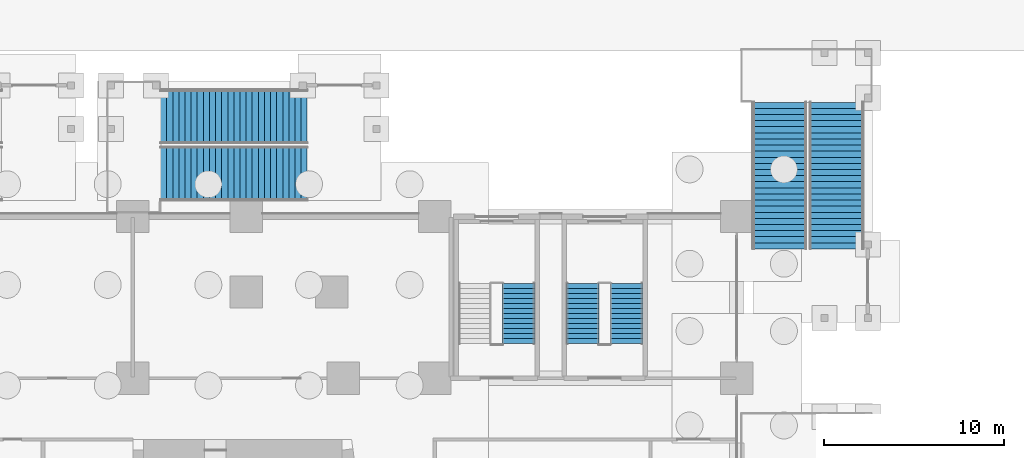
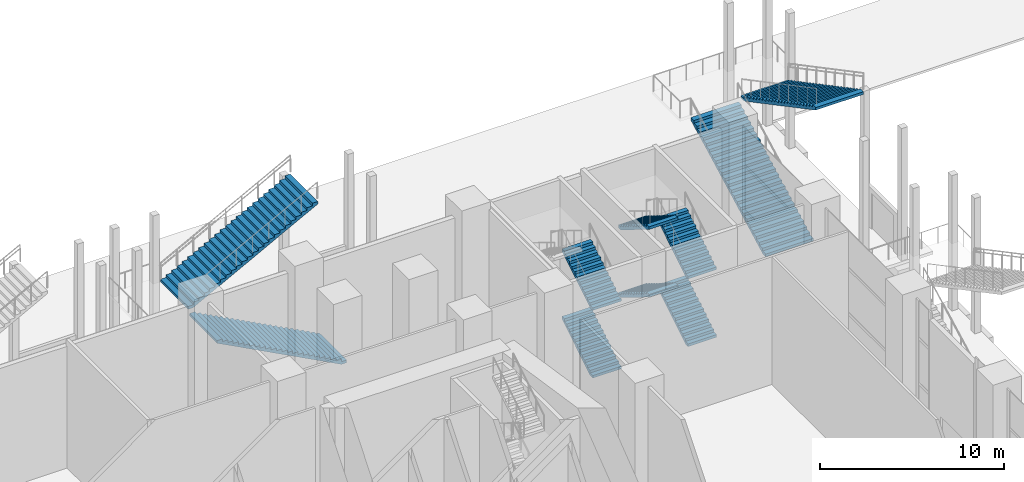
# One storey, part 55 of 72: 10 stair flights, 4 elements without a shape of their own.
"""IFC4 building model written with IfcOpenShell, lengths in metres."""

from ifc_helpers import new_model, si_unit, direction, frame, origin, place, context, subcontext, project, spatial, polyline, outline, extrude, material, type_object, element, aggregate, save


model = new_model("IFC4")

# Units and contexts
model_context = context("Model", 3, precision=1e-05, world=origin(), true_north=direction((0.0, 1.0)))
body_context = subcontext(model_context, "Body", "Model", "MODEL_VIEW")
ifc_project = project(units=[si_unit("LENGTHUNIT", "METRE"), si_unit("AREAUNIT", "SQUARE_METRE"), si_unit("VOLUMEUNIT", "CUBIC_METRE"), si_unit("PLANEANGLEUNIT", "RADIAN"), si_unit("MASSUNIT", "GRAM", prefix="KILO")], contexts=[model_context])

# Site, building, storey
site_placement = place(None, origin())
site = spatial("IfcSite", under=ifc_project, at=site_placement, CompositionType="ELEMENT")
building_placement = place(site_placement, origin())
building = spatial("IfcBuilding", under=site, at=building_placement, Name="Candeia Pilgrim Tower and Theatre", CompositionType="ELEMENT")
storey_placement = place(building_placement, origin())
storey = spatial("IfcBuildingStorey", under=building, at=storey_placement, Name="L00", CompositionType="ELEMENT", Elevation=0.0)

# Stair, stair flights
ifc_material = material(Name="Concrete C40/50", Category="concrete")
stair_type_1 = type_object("IfcStairType", Name="ST-EXT external escape stair", PredefinedType="HALF_TURN_STAIR", material=ifc_material)
stair_1_placement = place(storey_placement, origin())
stair_1 = element("IfcStair", 1, at=stair_1_placement, inside=storey, type_object=stair_type_1, Name="L00 External escape stair ES2", PredefinedType="HALF_TURN_STAIR")
stair_flight_type_1 = type_object("IfcStairFlightType", Name="SFL-EXT stair flight", PredefinedType="STRAIGHT", material=ifc_material)
stair_flight_1_placement = place(storey_placement, frame((162.0, 143.0, 0.0), z_axis=(0.0, 0.0, 1.0), x_axis=(0.0, 1.0, 0.0)))
stair_flight_1 = element("IfcStairFlight", 2, at=stair_flight_1_placement, type_object=stair_flight_type_1, Name="ES2 flight 1", NumberOfRisers=25, NumberOfTreads=24, PredefinedType="STRAIGHT", RiserHeight=0.18, TreadLength=0.34, context=body_context, shape_type="SweptSolid", body=[
    extrude(outline(polyline([(0.0, 0.0), (0.0, 0.179931640625), (0.340087890625, 0.179931640625), (0.340087890625, 0.360107421875), (0.679931640625, 0.360107421875), (0.679931640625, 0.5400390625), (1.02001953125, 0.5400390625), (1.02001953125, 0.719970703125), (1.360107421875, 0.719970703125), (1.360107421875, 0.89990234375), (1.699951171875, 0.89990234375), (1.699951171875, 1.080078125), (2.0400390625, 1.080078125), (2.0400390625, 1.260009765625), (2.3798828125, 1.260009765625), (2.3798828125, 1.43994140625), (2.719970703125, 1.43994140625), (2.719970703125, 1.6201171875), (3.06005859375, 1.6201171875), (3.06005859375, 1.800048828125), (3.39990234375, 1.800048828125), (3.39990234375, 1.97998046875), (3.739990234375, 1.97998046875), (3.739990234375, 2.159912109375), (4.080078125, 2.159912109375), (4.080078125, 2.340087890625), (4.419921875, 2.340087890625), (4.419921875, 2.52001953125), (4.760009765625, 2.52001953125), (4.760009765625, 2.699951171875), (5.10009765625, 2.699951171875), (5.10009765625, 2.8798828125), (5.43994140625, 2.8798828125), (5.43994140625, 3.06005859375), (5.780029296875, 3.06005859375), (5.780029296875, 3.239990234375), (6.1201171875, 3.239990234375), (6.1201171875, 3.419921875), (6.4599609375, 3.419921875), (6.4599609375, 3.60009765625), (6.800048828125, 3.60009765625), (6.800048828125, 3.780029296875), (7.139892578125, 3.780029296875), (7.139892578125, 3.9599609375), (7.47998046875, 3.9599609375), (7.47998046875, 4.139892578125), (7.820068359375, 4.139892578125), (7.820068359375, 4.320068359375), (8.159912109375, 4.320068359375), (8.159912109375, 4.5), (8.159912109375, 4.150390625), (0.3203125, 0.0), (0.0, 0.0)])), frame((0.0, 1.5, 0.0), z_axis=(0.0, -1.0, 0.0), x_axis=(1.0, 0.0, 0.0)), (0.0, 0.0, 1.0), 3.0),
])
stair_flight_2_placement = place(storey_placement, frame((165.14990234375, 151.159912109375, 4.5), z_axis=(0.0, 0.0, 1.0), x_axis=(0.0, -1.0, 0.0)))
stair_flight_2 = element("IfcStairFlight", 3, at=stair_flight_2_placement, type_object=stair_flight_type_1, Name="ES2 flight 2", NumberOfRisers=25, NumberOfTreads=24, PredefinedType="STRAIGHT", RiserHeight=0.18, TreadLength=0.34, context=body_context, shape_type="SweptSolid", body=[
    extrude(outline(polyline([(0.0, 0.0), (0.0, 0.179931640625), (0.340087890625, 0.179931640625), (0.340087890625, 0.360107421875), (0.679931640625, 0.360107421875), (0.679931640625, 0.5400390625), (1.02001953125, 0.5400390625), (1.02001953125, 0.719970703125), (1.360107421875, 0.719970703125), (1.360107421875, 0.89990234375), (1.699951171875, 0.89990234375), (1.699951171875, 1.080078125), (2.0400390625, 1.080078125), (2.0400390625, 1.260009765625), (2.3798828125, 1.260009765625), (2.3798828125, 1.43994140625), (2.719970703125, 1.43994140625), (2.719970703125, 1.6201171875), (3.06005859375, 1.6201171875), (3.06005859375, 1.800048828125), (3.39990234375, 1.800048828125), (3.39990234375, 1.97998046875), (3.739990234375, 1.97998046875), (3.739990234375, 2.159912109375), (4.080078125, 2.159912109375), (4.080078125, 2.340087890625), (4.419921875, 2.340087890625), (4.419921875, 2.52001953125), (4.760009765625, 2.52001953125), (4.760009765625, 2.699951171875), (5.10009765625, 2.699951171875), (5.10009765625, 2.8798828125), (5.43994140625, 2.8798828125), (5.43994140625, 3.06005859375), (5.780029296875, 3.06005859375), (5.780029296875, 3.239990234375), (6.1201171875, 3.239990234375), (6.1201171875, 3.419921875), (6.4599609375, 3.419921875), (6.4599609375, 3.60009765625), (6.800048828125, 3.60009765625), (6.800048828125, 3.780029296875), (7.139892578125, 3.780029296875), (7.139892578125, 3.9599609375), (7.47998046875, 3.9599609375), (7.47998046875, 4.139892578125), (7.820068359375, 4.139892578125), (7.820068359375, 4.320068359375), (8.159912109375, 4.320068359375), (8.159912109375, 4.5), (8.159912109375, 4.150390625), (0.3203125, 0.0), (0.0, 0.0)])), frame((0.0, 1.5, 0.0), z_axis=(0.0, -1.0, 0.0), x_axis=(1.0, 0.0, 0.0)), (0.0, 0.0, 1.0), 3.0),
])
aggregate(stair_1, [stair_flight_1, stair_flight_2])

stair_2_placement = place(storey_placement, origin())
stair_2 = element("IfcStair", 4, at=stair_2_placement, inside=storey, type_object=stair_type_1, Name="L00 External escape stair ES7", PredefinedType="HALF_TURN_STAIR")
stair_flight_3_placement = place(storey_placement, frame((135.699951171875, 147.199951171875, 0.0), z_axis=(0.0, 0.0, 1.0), x_axis=(-1.0, 0.0, 0.0)))
stair_flight_3 = element("IfcStairFlight", 5, at=stair_flight_3_placement, type_object=stair_flight_type_1, Name="ES7 flight 1", NumberOfRisers=25, NumberOfTreads=24, PredefinedType="STRAIGHT", RiserHeight=0.18, TreadLength=0.34, context=body_context, shape_type="SweptSolid", body=[
    extrude(outline(polyline([(0.0, 0.0), (0.0, 0.179931640625), (0.340087890625, 0.179931640625), (0.340087890625, 0.360107421875), (0.679931640625, 0.360107421875), (0.679931640625, 0.5400390625), (1.02001953125, 0.5400390625), (1.02001953125, 0.719970703125), (1.360107421875, 0.719970703125), (1.360107421875, 0.89990234375), (1.699951171875, 0.89990234375), (1.699951171875, 1.080078125), (2.0400390625, 1.080078125), (2.0400390625, 1.260009765625), (2.3798828125, 1.260009765625), (2.3798828125, 1.43994140625), (2.719970703125, 1.43994140625), (2.719970703125, 1.6201171875), (3.06005859375, 1.6201171875), (3.06005859375, 1.800048828125), (3.39990234375, 1.800048828125), (3.39990234375, 1.97998046875), (3.739990234375, 1.97998046875), (3.739990234375, 2.159912109375), (4.080078125, 2.159912109375), (4.080078125, 2.340087890625), (4.419921875, 2.340087890625), (4.419921875, 2.52001953125), (4.760009765625, 2.52001953125), (4.760009765625, 2.699951171875), (5.10009765625, 2.699951171875), (5.10009765625, 2.8798828125), (5.43994140625, 2.8798828125), (5.43994140625, 3.06005859375), (5.780029296875, 3.06005859375), (5.780029296875, 3.239990234375), (6.1201171875, 3.239990234375), (6.1201171875, 3.419921875), (6.4599609375, 3.419921875), (6.4599609375, 3.60009765625), (6.800048828125, 3.60009765625), (6.800048828125, 3.780029296875), (7.139892578125, 3.780029296875), (7.139892578125, 3.9599609375), (7.47998046875, 3.9599609375), (7.47998046875, 4.139892578125), (7.820068359375, 4.139892578125), (7.820068359375, 4.320068359375), (8.159912109375, 4.320068359375), (8.159912109375, 4.5), (8.159912109375, 4.150390625), (0.3203125, 0.0), (0.0, 0.0)])), frame((0.0, 1.5, 0.0), z_axis=(0.0, -1.0, 0.0), x_axis=(1.0, 0.0, 0.0)), (0.0, 0.0, 1.0), 3.0),
])
stair_flight_4_placement = place(storey_placement, frame((127.5400390625, 150.35009765625, 4.5), z_axis=(0.0, 0.0, 1.0), x_axis=(1.0, 0.0, 0.0)))
stair_flight_4 = element("IfcStairFlight", 6, at=stair_flight_4_placement, type_object=stair_flight_type_1, Name="ES7 flight 2", NumberOfRisers=25, NumberOfTreads=24, PredefinedType="STRAIGHT", RiserHeight=0.18, TreadLength=0.34, context=body_context, shape_type="SweptSolid", body=[
    extrude(outline(polyline([(0.0, 0.0), (0.0, 0.179931640625), (0.340087890625, 0.179931640625), (0.340087890625, 0.360107421875), (0.679931640625, 0.360107421875), (0.679931640625, 0.5400390625), (1.02001953125, 0.5400390625), (1.02001953125, 0.719970703125), (1.360107421875, 0.719970703125), (1.360107421875, 0.89990234375), (1.699951171875, 0.89990234375), (1.699951171875, 1.080078125), (2.0400390625, 1.080078125), (2.0400390625, 1.260009765625), (2.3798828125, 1.260009765625), (2.3798828125, 1.43994140625), (2.719970703125, 1.43994140625), (2.719970703125, 1.6201171875), (3.06005859375, 1.6201171875), (3.06005859375, 1.800048828125), (3.39990234375, 1.800048828125), (3.39990234375, 1.97998046875), (3.739990234375, 1.97998046875), (3.739990234375, 2.159912109375), (4.080078125, 2.159912109375), (4.080078125, 2.340087890625), (4.419921875, 2.340087890625), (4.419921875, 2.52001953125), (4.760009765625, 2.52001953125), (4.760009765625, 2.699951171875), (5.10009765625, 2.699951171875), (5.10009765625, 2.8798828125), (5.43994140625, 2.8798828125), (5.43994140625, 3.06005859375), (5.780029296875, 3.06005859375), (5.780029296875, 3.239990234375), (6.1201171875, 3.239990234375), (6.1201171875, 3.419921875), (6.4599609375, 3.419921875), (6.4599609375, 3.60009765625), (6.800048828125, 3.60009765625), (6.800048828125, 3.780029296875), (7.139892578125, 3.780029296875), (7.139892578125, 3.9599609375), (7.47998046875, 3.9599609375), (7.47998046875, 4.139892578125), (7.820068359375, 4.139892578125), (7.820068359375, 4.320068359375), (8.159912109375, 4.320068359375), (8.159912109375, 4.5), (8.159912109375, 4.150390625), (0.3203125, 0.0), (0.0, 0.0)])), frame((0.0, 1.5, 0.0), z_axis=(0.0, -1.0, 0.0), x_axis=(1.0, 0.0, 0.0)), (0.0, 0.0, 1.0), 3.0),
])
aggregate(stair_2, [stair_flight_3, stair_flight_4])

stair_type_2 = type_object("IfcStairType", Name="ST-POD dog-leg escape stair", PredefinedType="HALF_TURN_STAIR", material=ifc_material)
stair_3_placement = place(storey_placement, origin())
stair_3 = element("IfcStair", 7, at=stair_3_placement, inside=storey, type_object=stair_type_2, Name="L00 Escape stair PS3", PredefinedType="HALF_TURN_STAIR")
stair_flight_type_2 = type_object("IfcStairFlightType", Name="SFL-POD stair flight", PredefinedType="STRAIGHT", material=ifc_material)
stair_flight_5_placement = place(storey_placement, frame((147.47509765625, 137.72509765625, 0.0), z_axis=(0.0, 0.0, 1.0), x_axis=(0.0, 1.0, 0.0)))
stair_flight_5 = element("IfcStairFlight", 8, at=stair_flight_5_placement, type_object=stair_flight_type_2, Name="PS3 flight 1", NumberOfRisers=13, NumberOfTreads=12, PredefinedType="STRAIGHT", RiserHeight=0.173076923, TreadLength=0.28, context=body_context, shape_type="SweptSolid", body=[
    extrude(outline(polyline([(0.0, 0.0), (0.0, 0.173095703125), (0.280029296875, 0.173095703125), (0.280029296875, 0.34619140625), (0.56005859375, 0.34619140625), (0.56005859375, 0.519287109375), (0.840087890625, 0.519287109375), (0.840087890625, 0.6923828125), (1.1201171875, 0.6923828125), (1.1201171875, 0.865478515625), (1.39990234375, 0.865478515625), (1.39990234375, 1.03857421875), (1.679931640625, 1.03857421875), (1.679931640625, 1.21142578125), (1.9599609375, 1.21142578125), (1.9599609375, 1.384521484375), (2.239990234375, 1.384521484375), (2.239990234375, 1.5576171875), (2.52001953125, 1.5576171875), (2.52001953125, 1.730712890625), (2.800048828125, 1.730712890625), (2.800048828125, 1.90380859375), (3.080078125, 1.90380859375), (3.080078125, 2.076904296875), (3.360107421875, 2.076904296875), (3.360107421875, 2.25), (3.360107421875, 1.900634765625), (0.28515625, 0.0), (0.0, 0.0)])), frame((0.0, 0.89990234375, 0.0), z_axis=(0.0, -1.0, 0.0), x_axis=(1.0, 0.0, 0.0)), (0.0, 0.0, 1.0), 1.800048828125),
])
stair_flight_6_placement = place(storey_placement, frame((147.47509765625, 137.72509765625, 4.5), z_axis=(0.0, 0.0, 1.0), x_axis=(0.0, 1.0, 0.0)))
stair_flight_6 = element("IfcStairFlight", 9, at=stair_flight_6_placement, type_object=stair_flight_type_2, Name="PS3 flight 3", NumberOfRisers=13, NumberOfTreads=12, PredefinedType="STRAIGHT", RiserHeight=0.173076923, TreadLength=0.28, context=body_context, shape_type="SweptSolid", body=[
    extrude(outline(polyline([(0.0, 0.0), (0.0, 0.173095703125), (0.280029296875, 0.173095703125), (0.280029296875, 0.34619140625), (0.56005859375, 0.34619140625), (0.56005859375, 0.519287109375), (0.840087890625, 0.519287109375), (0.840087890625, 0.6923828125), (1.1201171875, 0.6923828125), (1.1201171875, 0.865478515625), (1.39990234375, 0.865478515625), (1.39990234375, 1.03857421875), (1.679931640625, 1.03857421875), (1.679931640625, 1.21142578125), (1.9599609375, 1.21142578125), (1.9599609375, 1.384521484375), (2.239990234375, 1.384521484375), (2.239990234375, 1.5576171875), (2.52001953125, 1.5576171875), (2.52001953125, 1.730712890625), (2.800048828125, 1.730712890625), (2.800048828125, 1.90380859375), (3.080078125, 1.90380859375), (3.080078125, 2.076904296875), (3.360107421875, 2.076904296875), (3.360107421875, 2.25), (3.360107421875, 1.900634765625), (0.28515625, 0.0), (0.0, 0.0)])), frame((0.0, 0.89990234375, 0.0), z_axis=(0.0, -1.0, 0.0), x_axis=(1.0, 0.0, 0.0)), (0.0, 0.0, 1.0), 1.800048828125),
])
aggregate(stair_3, [stair_flight_5, stair_flight_6])

stair_4_placement = place(storey_placement, origin())
stair_4 = element("IfcStair", 10, at=stair_4_placement, inside=storey, type_object=stair_type_2, Name="L00 Escape stair PS4", PredefinedType="HALF_TURN_STAIR")
stair_flight_7_placement = place(storey_placement, frame((153.47509765625, 137.72509765625, 0.0), z_axis=(0.0, 0.0, 1.0), x_axis=(0.0, 1.0, 0.0)))
stair_flight_7 = element("IfcStairFlight", 11, at=stair_flight_7_placement, type_object=stair_flight_type_2, Name="PS4 flight 1", NumberOfRisers=13, NumberOfTreads=12, PredefinedType="STRAIGHT", RiserHeight=0.173076923, TreadLength=0.28, context=body_context, shape_type="SweptSolid", body=[
    extrude(outline(polyline([(0.0, 0.0), (0.0, 0.173095703125), (0.280029296875, 0.173095703125), (0.280029296875, 0.34619140625), (0.56005859375, 0.34619140625), (0.56005859375, 0.519287109375), (0.840087890625, 0.519287109375), (0.840087890625, 0.6923828125), (1.1201171875, 0.6923828125), (1.1201171875, 0.865478515625), (1.39990234375, 0.865478515625), (1.39990234375, 1.03857421875), (1.679931640625, 1.03857421875), (1.679931640625, 1.21142578125), (1.9599609375, 1.21142578125), (1.9599609375, 1.384521484375), (2.239990234375, 1.384521484375), (2.239990234375, 1.5576171875), (2.52001953125, 1.5576171875), (2.52001953125, 1.730712890625), (2.800048828125, 1.730712890625), (2.800048828125, 1.90380859375), (3.080078125, 1.90380859375), (3.080078125, 2.076904296875), (3.360107421875, 2.076904296875), (3.360107421875, 2.25), (3.360107421875, 1.900634765625), (0.28515625, 0.0), (0.0, 0.0)])), frame((0.0, 0.89990234375, 0.0), z_axis=(0.0, -1.0, 0.0), x_axis=(1.0, 0.0, 0.0)), (0.0, 0.0, 1.0), 1.800048828125),
])
stair_flight_8_placement = place(storey_placement, frame((151.02490234375, 141.0849609375, 2.25), z_axis=(0.0, 0.0, 1.0), x_axis=(0.0, -1.0, 0.0)))
stair_flight_8 = element("IfcStairFlight", 12, at=stair_flight_8_placement, type_object=stair_flight_type_2, Name="PS4 flight 2", NumberOfRisers=13, NumberOfTreads=12, PredefinedType="STRAIGHT", RiserHeight=0.173076923, TreadLength=0.28, context=body_context, shape_type="SweptSolid", body=[
    extrude(outline(polyline([(0.0, 0.0), (0.0, 0.173095703125), (0.280029296875, 0.173095703125), (0.280029296875, 0.34619140625), (0.56005859375, 0.34619140625), (0.56005859375, 0.519287109375), (0.840087890625, 0.519287109375), (0.840087890625, 0.6923828125), (1.1201171875, 0.6923828125), (1.1201171875, 0.865478515625), (1.39990234375, 0.865478515625), (1.39990234375, 1.03857421875), (1.679931640625, 1.03857421875), (1.679931640625, 1.21142578125), (1.9599609375, 1.21142578125), (1.9599609375, 1.384521484375), (2.239990234375, 1.384521484375), (2.239990234375, 1.5576171875), (2.52001953125, 1.5576171875), (2.52001953125, 1.730712890625), (2.800048828125, 1.730712890625), (2.800048828125, 1.90380859375), (3.080078125, 1.90380859375), (3.080078125, 2.076904296875), (3.360107421875, 2.076904296875), (3.360107421875, 2.25), (3.360107421875, 1.900634765625), (0.28515625, 0.0), (0.0, 0.0)])), frame((0.0, 0.89990234375, 0.0), z_axis=(0.0, -1.0, 0.0), x_axis=(1.0, 0.0, 0.0)), (0.0, 0.0, 1.0), 1.800048828125),
])
stair_flight_9_placement = place(storey_placement, frame((153.47509765625, 137.72509765625, 4.5), z_axis=(0.0, 0.0, 1.0), x_axis=(0.0, 1.0, 0.0)))
stair_flight_9 = element("IfcStairFlight", 13, at=stair_flight_9_placement, type_object=stair_flight_type_2, Name="PS4 flight 3", NumberOfRisers=13, NumberOfTreads=12, PredefinedType="STRAIGHT", RiserHeight=0.173076923, TreadLength=0.28, context=body_context, shape_type="SweptSolid", body=[
    extrude(outline(polyline([(0.0, 0.0), (0.0, 0.173095703125), (0.280029296875, 0.173095703125), (0.280029296875, 0.34619140625), (0.56005859375, 0.34619140625), (0.56005859375, 0.519287109375), (0.840087890625, 0.519287109375), (0.840087890625, 0.6923828125), (1.1201171875, 0.6923828125), (1.1201171875, 0.865478515625), (1.39990234375, 0.865478515625), (1.39990234375, 1.03857421875), (1.679931640625, 1.03857421875), (1.679931640625, 1.21142578125), (1.9599609375, 1.21142578125), (1.9599609375, 1.384521484375), (2.239990234375, 1.384521484375), (2.239990234375, 1.5576171875), (2.52001953125, 1.5576171875), (2.52001953125, 1.730712890625), (2.800048828125, 1.730712890625), (2.800048828125, 1.90380859375), (3.080078125, 1.90380859375), (3.080078125, 2.076904296875), (3.360107421875, 2.076904296875), (3.360107421875, 2.25), (3.360107421875, 1.900634765625), (0.28515625, 0.0), (0.0, 0.0)])), frame((0.0, 0.89990234375, 0.0), z_axis=(0.0, -1.0, 0.0), x_axis=(1.0, 0.0, 0.0)), (0.0, 0.0, 1.0), 1.800048828125),
])
stair_flight_10_placement = place(storey_placement, frame((151.02490234375, 141.0849609375, 6.75), z_axis=(0.0, 0.0, 1.0), x_axis=(0.0, -1.0, 0.0)))
stair_flight_10 = element("IfcStairFlight", 14, at=stair_flight_10_placement, type_object=stair_flight_type_2, Name="PS4 flight 4", NumberOfRisers=13, NumberOfTreads=12, PredefinedType="STRAIGHT", RiserHeight=0.173076923, TreadLength=0.28, context=body_context, shape_type="SweptSolid", body=[
    extrude(outline(polyline([(0.0, 0.0), (0.0, 0.173095703125), (0.280029296875, 0.173095703125), (0.280029296875, 0.34619140625), (0.56005859375, 0.34619140625), (0.56005859375, 0.519287109375), (0.840087890625, 0.519287109375), (0.840087890625, 0.6923828125), (1.1201171875, 0.6923828125), (1.1201171875, 0.865478515625), (1.39990234375, 0.865478515625), (1.39990234375, 1.03857421875), (1.679931640625, 1.03857421875), (1.679931640625, 1.21142578125), (1.9599609375, 1.21142578125), (1.9599609375, 1.384521484375), (2.239990234375, 1.384521484375), (2.239990234375, 1.5576171875), (2.52001953125, 1.5576171875), (2.52001953125, 1.730712890625), (2.800048828125, 1.730712890625), (2.800048828125, 1.90380859375), (3.080078125, 1.90380859375), (3.080078125, 2.076904296875), (3.360107421875, 2.076904296875), (3.360107421875, 2.25), (3.360107421875, 1.900634765625), (0.28515625, 0.0), (0.0, 0.0)])), frame((0.0, 0.89990234375, 0.0), z_axis=(0.0, -1.0, 0.0), x_axis=(1.0, 0.0, 0.0)), (0.0, 0.0, 1.0), 1.800048828125),
])
aggregate(stair_4, [stair_flight_7, stair_flight_8, stair_flight_9, stair_flight_10])

save(model, "model.ifc")
